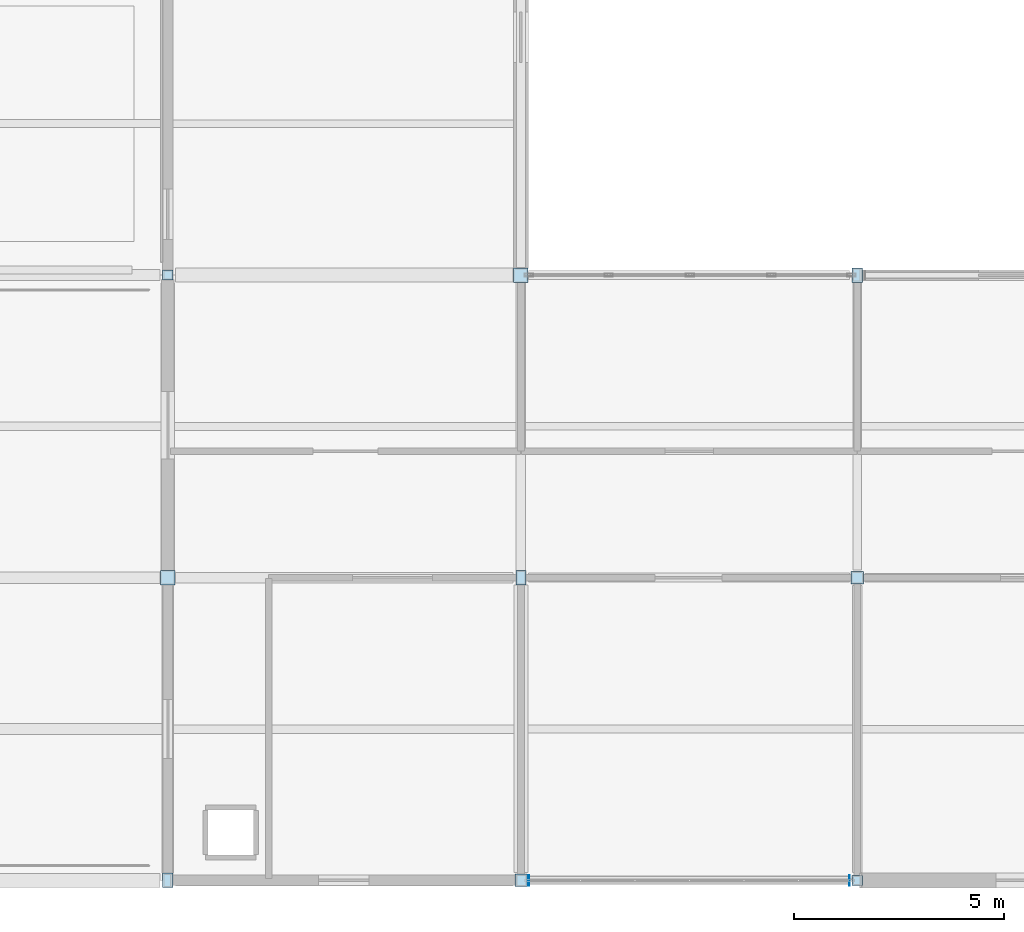
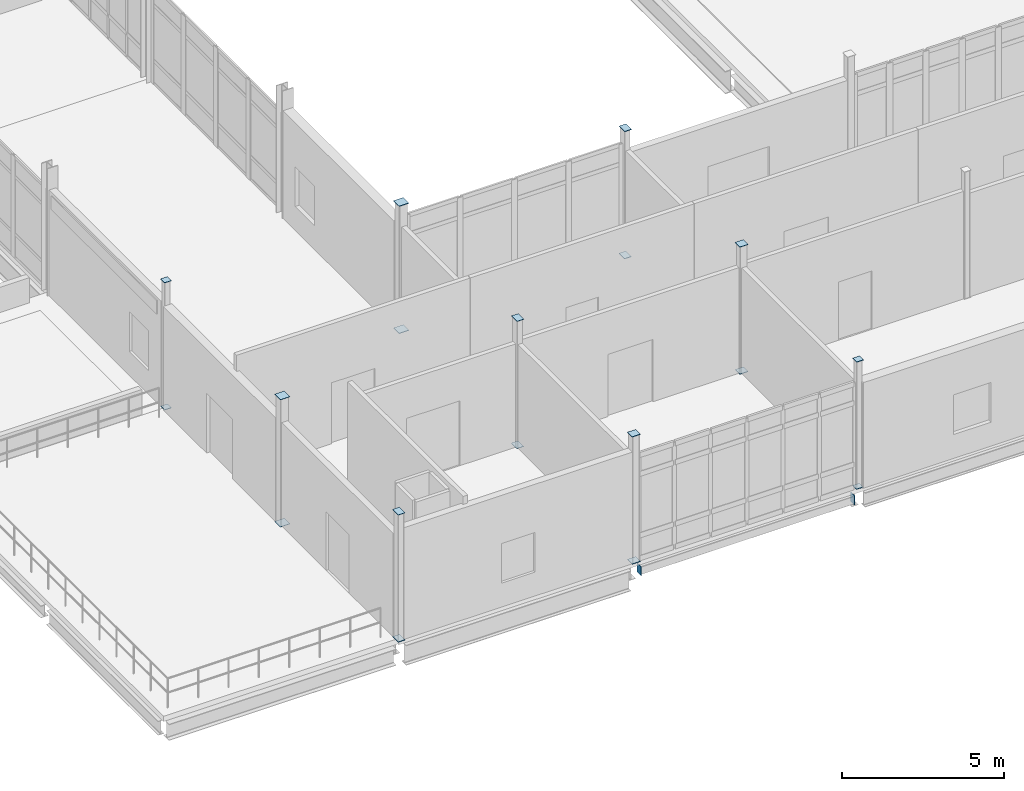
# One storey, part 139 of 186: 20 plates.
"""IFC4 building model written with IfcOpenShell, lengths in metres."""

import ifcopenshell
import ifcopenshell.guid

model = None  # the IFC model being written
_history = None  # IfcOwnerHistory: only IFC2X3 demands one
_inside = {}  # id of a spatial element -> (the spatial element, [elements in it])
_under = {}  # id of a project, library or spatial element -> (it, [spatial elements below it])
_declared = {}  # id of a project -> (the project, [libraries it declares])
_typed = {}  # id of a type object -> (the type object, [elements of that type])
_made_of = {}  # id of a material, layer set ... -> (it, [elements and type objects made of it])


def new_model(schema):
    """Start an empty IFC model of exactly this schema.

    Asked for "IFC4X3", IfcOpenShell would pick the latest addendum, in which some entities
    have other attributes; the version numbers below select the first issue.
    IFC2X3 requires an IfcOwnerHistory on every rooted entity: one is made here for all.
    """
    global model, _history
    if schema == "IFC4X3":
        model = ifcopenshell.file(schema_version=(4, 3, 0, 0))
    else:
        model = ifcopenshell.file(schema=schema)
    _inside.clear()
    _under.clear()
    _declared.clear()
    _typed.clear()
    _made_of.clear()
    _history = None
    if model.schema == "IFC2X3":
        org = make("IfcOrganization", Name="unknown")
        user = make(
            "IfcPersonAndOrganization",
            ThePerson=make("IfcPerson", FamilyName="unknown"),
            TheOrganization=org,
        )
        app = make(
            "IfcApplication",
            ApplicationDeveloper=org,
            Version="unknown",
            ApplicationFullName="unknown",
            ApplicationIdentifier="unknown",
        )
        _history = make(
            "IfcOwnerHistory",
            OwningUser=user,
            OwningApplication=app,
            ChangeAction="ADDED",
            CreationDate=0,
        )
    return model


def make(cls, **values):
    """One entity of the class cls with the attributes given. An attribute that is None is left unset."""
    return model.create_entity(
        cls, **{name: value for name, value in values.items() if value is not None}
    )


def rooted(cls, **values):
    """An entity with a GlobalId (a new one), such as an element, a storey or a relation."""
    return make(cls, GlobalId=ifcopenshell.guid.new(), OwnerHistory=_history, **values)


def si_unit(unit_type, name, prefix=None):
    """IfcSIUnit, for example si_unit("LENGTHUNIT", "METRE", prefix="MILLI")."""
    return make("IfcSIUnit", UnitType=unit_type, Prefix=prefix, Name=name)


def assignment(units):
    """IfcUnitAssignment: the units of a project."""
    return None if units is None else make("IfcUnitAssignment", Units=units)


def point(xyz):
    """IfcCartesianPoint."""
    return None if xyz is None else make("IfcCartesianPoint", Coordinates=xyz)


def direction(xyz):
    """IfcDirection."""
    return None if xyz is None else make("IfcDirection", DirectionRatios=xyz)


def frame(location, z_axis=None, x_axis=None):
    """IfcAxis2Placement3D, a coordinate frame: its origin and axes. An axis left out is left unset."""
    return make(
        "IfcAxis2Placement3D",
        Location=point(location),
        Axis=direction(z_axis),
        RefDirection=direction(x_axis),
    )


def frame_2d(location, x_axis=None):
    """IfcAxis2Placement2D, a coordinate frame in the plane: its origin and x axis."""
    return make(
        "IfcAxis2Placement2D", Location=point(location), RefDirection=direction(x_axis)
    )


def origin():
    """The frame at (0, 0, 0) with its axes left unset."""
    return frame((0.0, 0.0, 0.0))


def origin_2d():
    """The frame at (0, 0) in the plane with its x axis left unset."""
    return frame_2d((0.0, 0.0))


def place(relative_to, where):
    """IfcLocalPlacement: puts the frame where relative to a parent placement (None: the world)."""
    return make(
        "IfcLocalPlacement", PlacementRelTo=relative_to, RelativePlacement=where
    )


def context(
    kind, dimensions, precision=None, world=None, true_north=None, identifier=None
):
    """IfcGeometricRepresentationContext, for example the 3D "Model" context."""
    return make(
        "IfcGeometricRepresentationContext",
        ContextIdentifier=identifier,
        ContextType=kind,
        CoordinateSpaceDimension=dimensions,
        Precision=precision,
        WorldCoordinateSystem=world,
        TrueNorth=true_north,
    )


def subcontext(parent, identifier, kind, view, scale=None):
    """IfcGeometricRepresentationSubContext, for example "Body" below "Model"."""
    return make(
        "IfcGeometricRepresentationSubContext",
        ContextIdentifier=identifier,
        ContextType=kind,
        ParentContext=parent,
        TargetScale=scale,
        TargetView=view,
    )


def project(units=None, contexts=None):
    """IfcProject with its units and contexts."""
    return rooted(
        "IfcProject",
        Name="project",
        RepresentationContexts=contexts,
        UnitsInContext=assignment(units),
    )


def spatial(cls, under=None, at=None, **own):
    """A site, building, storey or space (cls), placed at a placement, below another one or the project."""
    s = rooted(cls, ObjectPlacement=at, **own)
    if under is not None:
        _under.setdefault(under.id(), (under, []))[1].append(s)
    return s


def profile(cls, at=None, kind="AREA", **sizes):
    """A parametric profile (cls). Its sizes go by their IFC names, for example OverallWidth=200.0."""
    return make(cls, ProfileType=kind, Position=at, **sizes)


def rectangle(**sizes):
    """IfcRectangleProfileDef."""
    return profile("IfcRectangleProfileDef", **sizes)


def extrude(swept, where, along, depth):
    """IfcExtrudedAreaSolid: the profile swept, set in the frame where, extruded along a direction by depth."""
    return make(
        "IfcExtrudedAreaSolid",
        SweptArea=swept,
        Position=where,
        ExtrudedDirection=direction(along),
        Depth=depth,
    )


def shape(context_of_items, identifier, shape_type, items):
    """IfcShapeRepresentation: the items that make up one representation, for example the "Body"."""
    return make(
        "IfcShapeRepresentation",
        ContextOfItems=context_of_items,
        RepresentationIdentifier=identifier,
        RepresentationType=shape_type,
        Items=items,
    )


def material(Name=None, Category=None):
    """IfcMaterial."""
    return make("IfcMaterial", Name=Name, Category=Category)


def layer(
    of_material, thickness, ventilated=None, Name=None, Category=None, Priority=None
):
    """IfcMaterialLayer: one layer of a wall or slab, of a material (None: an air gap)."""
    return make(
        "IfcMaterialLayer",
        Material=of_material,
        LayerThickness=thickness,
        IsVentilated=ventilated,
        Name=Name,
        Category=Category,
        Priority=Priority,
    )


def layer_set(layers, Name=None):
    """IfcMaterialLayerSet."""
    return make("IfcMaterialLayerSet", MaterialLayers=layers, LayerSetName=Name)


def made_of(thing, what):
    """Note that an element or type object is made of a material, layer set ...; save() writes the relation."""
    if what is not None:
        _made_of.setdefault(what.id(), (what, []))[1].append(thing)
    return thing


def type_object(cls, material=None, **own):
    """A type object (cls), such as IfcWallType, which elements share."""
    return made_of(rooted(cls, **own), material)


def element(
    cls,
    number,
    at=None,
    inside=None,
    cuts=None,
    type_object=None,
    material=None,
    context=None,
    identifier="Body",
    shape_type=None,
    held_by="IfcProductDefinitionShape",
    body=None,
    shapes=None,
    **own,
):
    """One element of the class cls, such as IfcWall. Its Tag is "e" and its number.

    at: its placement. inside: the storey or other place that contains it. cuts: it is an
    opening in that element (IfcRelVoidsElement). A single representation is given by context,
    identifier, shape_type and body (its items); several are given by shapes. held_by: the class
    of the entity that holds the representations. save() writes the other relations.
    """
    e = rooted(cls, Tag="e%d" % number, ObjectPlacement=at, **own)
    if body is not None:
        shapes = [shape(context, identifier, shape_type, body)]
    if shapes is not None:
        e.Representation = make(held_by, Representations=shapes)
    if inside is not None:
        _inside.setdefault(inside.id(), (inside, []))[1].append(e)
    if cuts is not None:
        rooted(
            "IfcRelVoidsElement", RelatingBuildingElement=cuts, RelatedOpeningElement=e
        )
    if type_object is not None:
        _typed.setdefault(type_object.id(), (type_object, []))[1].append(e)
    return made_of(e, material)


def aggregate(whole, parts):
    """IfcRelAggregates: a whole, such as a stair, and the parts it consists of."""
    return rooted("IfcRelAggregates", RelatingObject=whole, RelatedObjects=parts)


def save(model, path):
    """Write the relations noted so far, then the file.

    IfcRelAggregates (storeys below a building ...), IfcRelContainedInSpatialStructure (elements
    in a storey), IfcRelDefinesByType, IfcRelAssociatesMaterial and IfcRelDeclares: one each for
    every whole, place, type object, material and project.
    """
    for whole, parts in _under.values():
        aggregate(whole, parts)
    for where, things in _inside.values():
        rooted(
            "IfcRelContainedInSpatialStructure",
            RelatedElements=things,
            RelatingStructure=where,
        )
    for kind, things in _typed.values():
        rooted("IfcRelDefinesByType", RelatedObjects=things, RelatingType=kind)
    for what, things in _made_of.values():
        rooted("IfcRelAssociatesMaterial", RelatedObjects=things, RelatingMaterial=what)
    for by, libraries in _declared.values():
        rooted("IfcRelDeclares", RelatingContext=by, RelatedDefinitions=libraries)
    model.write(path)


model = new_model("IFC4")

# Units and contexts
model_context = context("Model", 3, precision=1e-05, world=origin(), true_north=direction((0.0, 1.0)))
body_context = subcontext(model_context, "Body", "Model", "MODEL_VIEW")
ifc_project = project(units=[si_unit("LENGTHUNIT", "METRE"), si_unit("AREAUNIT", "SQUARE_METRE"), si_unit("VOLUMEUNIT", "CUBIC_METRE"), si_unit("PLANEANGLEUNIT", "RADIAN"), si_unit("MASSUNIT", "GRAM", prefix="KILO")], contexts=[model_context])

# Site, building, storey
site_placement = place(None, origin())
site = spatial("IfcSite", under=ifc_project, at=site_placement, CompositionType="ELEMENT")
building_placement = place(site_placement, origin())
building = spatial("IfcBuilding", under=site, at=building_placement, Name="Calvrana Isthmian Art Gallery", CompositionType="ELEMENT")
storey_placement = place(building_placement, frame((0.0, 0.0, 5.39990234375)))
storey = spatial("IfcBuildingStorey", under=building, at=storey_placement, Name="L01", CompositionType="ELEMENT", Elevation=5.39990234375)

# Plates
ifc_material = material(Name="Steel ASTM A572 Gr 50", Category="steel")
ifc_layer = layer(ifc_material, 0.01611328125, Name="Steel ASTM A572 Gr 50")
ifc_layer_set = layer_set([ifc_layer], Name="Steel ASTM A572 Gr 50")
plate_type = type_object("IfcPlateType", Name="PL-CAP-16", PredefinedType="SHEET", material=ifc_layer_set)
for number, where, z_axis, x_axis, name in (
    (1, (72.0, 0.0, -0.008056640625), (0.0, 0.0, 1.0), (1.0, 0.0, 0.0), "Hollow section end cap plate 157"),
    (2, (72.0, 0.0, 4.7919921875), (0.0, 0.0, 1.0), (1.0, 0.0, 0.0), "Hollow section end cap plate 158"),
):
    element("IfcPlate", number, at=place(storey_placement, frame(where, z_axis=z_axis, x_axis=x_axis)), inside=storey, type_object=plate_type, Name=name, PredefinedType="SHEET", context=body_context, shape_type="SweptSolid", body=[
        extrude(rectangle(XDim=0.2431640625, YDim=0.3447265625, at=origin_2d()), origin(), (0.0, 0.0, 1.0), 0.01611328125),
    ])
for number, where, z_axis, x_axis, name in (
    (3, (72.0, 7.199951171875, -0.008056640625), (0.0, 0.0, 1.0), (1.0, 0.0, 0.0), "Hollow section end cap plate 159"),
    (4, (72.0, 7.199951171875, 4.7919921875), (0.0, 0.0, 1.0), (1.0, 0.0, 0.0), "Hollow section end cap plate 160"),
):
    element("IfcPlate", number, at=place(storey_placement, frame(where, z_axis=z_axis, x_axis=x_axis)), inside=storey, type_object=plate_type, Name=name, PredefinedType="SHEET", context=body_context, shape_type="SweptSolid", body=[
        extrude(rectangle(XDim=0.3447265625, YDim=0.3447265625, at=origin_2d()), origin(), (0.0, 0.0, 1.0), 0.01611328125),
    ])
for number, where, z_axis, x_axis, name in (
    (5, (72.0, 14.39990234375, -0.008056640625), (0.0, 0.0, 1.0), (1.0, 0.0, 0.0), "Hollow section end cap plate 161"),
    (6, (72.0, 14.39990234375, 4.7919921875), (0.0, 0.0, 1.0), (1.0, 0.0, 0.0), "Hollow section end cap plate 162"),
):
    element("IfcPlate", number, at=place(storey_placement, frame(where, z_axis=z_axis, x_axis=x_axis)), inside=storey, type_object=plate_type, Name=name, PredefinedType="SHEET", context=body_context, shape_type="SweptSolid", body=[
        extrude(rectangle(XDim=0.2431640625, YDim=0.2431640625, at=origin_2d()), origin(), (0.0, 0.0, 1.0), 0.01611328125),
    ])
for number, where, z_axis, x_axis, name in (
    (7, (80.39990234375, 0.0, -0.008056640625), (0.0, 0.0, 1.0), (1.0, 0.0, 0.0), "Hollow section end cap plate 181"),
    (8, (80.39990234375, 0.0, 4.7919921875), (0.0, 0.0, 1.0), (1.0, 0.0, 0.0), "Hollow section end cap plate 182"),
):
    element("IfcPlate", number, at=place(storey_placement, frame(where, z_axis=z_axis, x_axis=x_axis)), inside=storey, type_object=plate_type, Name=name, PredefinedType="SHEET", context=body_context, shape_type="SweptSolid", body=[
        extrude(rectangle(XDim=0.2939453125, YDim=0.2939453125, at=origin_2d()), origin(), (0.0, 0.0, 1.0), 0.01611328125),
    ])
for number, where, z_axis, x_axis, name in (
    (9, (80.39990234375, 7.199951171875, -0.008056640625), (0.0, 0.0, 1.0), (1.0, 0.0, 0.0), "Hollow section end cap plate 183"),
    (10, (80.39990234375, 7.199951171875, 4.7919921875), (0.0, 0.0, 1.0), (1.0, 0.0, 0.0), "Hollow section end cap plate 184"),
):
    element("IfcPlate", number, at=place(storey_placement, frame(where, z_axis=z_axis, x_axis=x_axis)), inside=storey, type_object=plate_type, Name=name, PredefinedType="SHEET", context=body_context, shape_type="SweptSolid", body=[
        extrude(rectangle(XDim=0.2431640625, YDim=0.3447265625, at=origin_2d()), origin(), (0.0, 0.0, 1.0), 0.01611328125),
    ])
for number, where, z_axis, x_axis, name in (
    (11, (80.39990234375, 14.39990234375, -0.008056640625), (0.0, 0.0, 1.0), (1.0, 0.0, 0.0), "Hollow section end cap plate 185"),
    (12, (80.39990234375, 14.39990234375, 4.7919921875), (0.0, 0.0, 1.0), (1.0, 0.0, 0.0), "Hollow section end cap plate 186"),
):
    element("IfcPlate", number, at=place(storey_placement, frame(where, z_axis=z_axis, x_axis=x_axis)), inside=storey, type_object=plate_type, Name=name, PredefinedType="SHEET", context=body_context, shape_type="SweptSolid", body=[
        extrude(rectangle(XDim=0.3447265625, YDim=0.3447265625, at=origin_2d()), origin(), (0.0, 0.0, 1.0), 0.01611328125),
    ])
for number, where, z_axis, x_axis, name in (
    (13, (88.39990234375, 0.0, -0.008056640625), (0.0, 0.0, 1.0), (1.0, 0.0, 0.0), "Hollow section end cap plate 199"),
    (14, (88.39990234375, 0.0, 4.7919921875), (0.0, 0.0, 1.0), (1.0, 0.0, 0.0), "Hollow section end cap plate 200"),
):
    element("IfcPlate", number, at=place(storey_placement, frame(where, z_axis=z_axis, x_axis=x_axis)), inside=storey, type_object=plate_type, Name=name, PredefinedType="SHEET", context=body_context, shape_type="SweptSolid", body=[
        extrude(rectangle(XDim=0.2431640625, YDim=0.2431640625, at=origin_2d()), origin(), (0.0, 0.0, 1.0), 0.01611328125),
    ])
for number, where, z_axis, x_axis, name in (
    (15, (88.39990234375, 7.199951171875, -0.008056640625), (0.0, 0.0, 1.0), (1.0, 0.0, 0.0), "Hollow section end cap plate 201"),
    (16, (88.39990234375, 7.199951171875, 4.7919921875), (0.0, 0.0, 1.0), (1.0, 0.0, 0.0), "Hollow section end cap plate 202"),
):
    element("IfcPlate", number, at=place(storey_placement, frame(where, z_axis=z_axis, x_axis=x_axis)), inside=storey, type_object=plate_type, Name=name, PredefinedType="SHEET", context=body_context, shape_type="SweptSolid", body=[
        extrude(rectangle(XDim=0.2939453125, YDim=0.2939453125, at=origin_2d()), origin(), (0.0, 0.0, 1.0), 0.01611328125),
    ])
for number, where, z_axis, x_axis, name in (
    (17, (88.39990234375, 14.39990234375, -0.008056640625), (0.0, 0.0, 1.0), (1.0, 0.0, 0.0), "Hollow section end cap plate 203"),
    (18, (88.39990234375, 14.39990234375, 4.7919921875), (0.0, 0.0, 1.0), (1.0, 0.0, 0.0), "Hollow section end cap plate 204"),
):
    element("IfcPlate", number, at=place(storey_placement, frame(where, z_axis=z_axis, x_axis=x_axis)), inside=storey, type_object=plate_type, Name=name, PredefinedType="SHEET", context=body_context, shape_type="SweptSolid", body=[
        extrude(rectangle(XDim=0.2431640625, YDim=0.3447265625, at=origin_2d()), origin(), (0.0, 0.0, 1.0), 0.01611328125),
    ])
for number, where, z_axis, x_axis, name in (
    (19, (80.58642578125, 0.0, -0.569580078125), (0.0, 0.0, 1.0), (1.0, 0.0, 0.0), "Hollow section end cap plate 407"),
    (20, (88.21337890625, 0.0, -0.569580078125), (0.0, 0.0, 1.0), (1.0, 0.0, 0.0), "Hollow section end cap plate 408"),
):
    element("IfcPlate", number, at=place(storey_placement, frame(where, z_axis=z_axis, x_axis=x_axis)), inside=storey, type_object=plate_type, Name=name, PredefinedType="SHEET", context=body_context, shape_type="SweptSolid", body=[
        extrude(rectangle(XDim=0.01611328125, YDim=0.2431640625, at=origin_2d()), origin(), (0.0, 0.0, 1.0), 0.3447265625),
    ])

save(model, "model.ifc")
